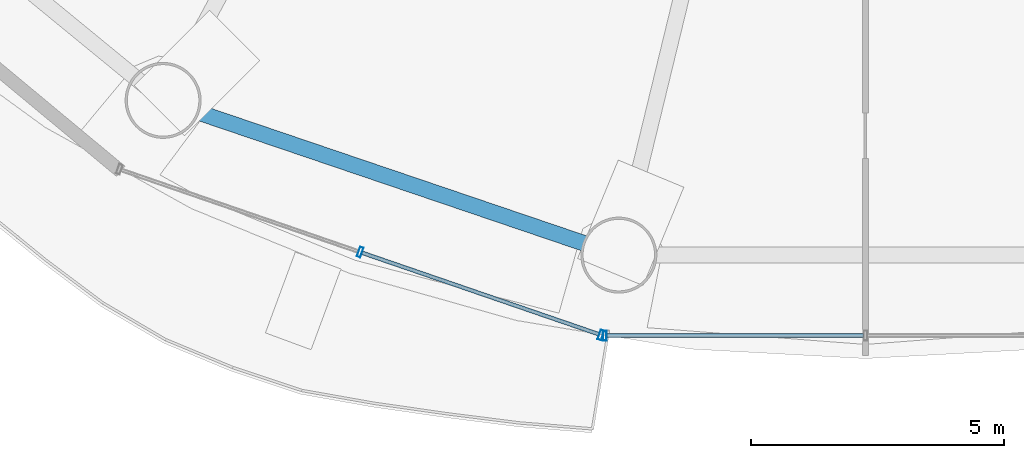
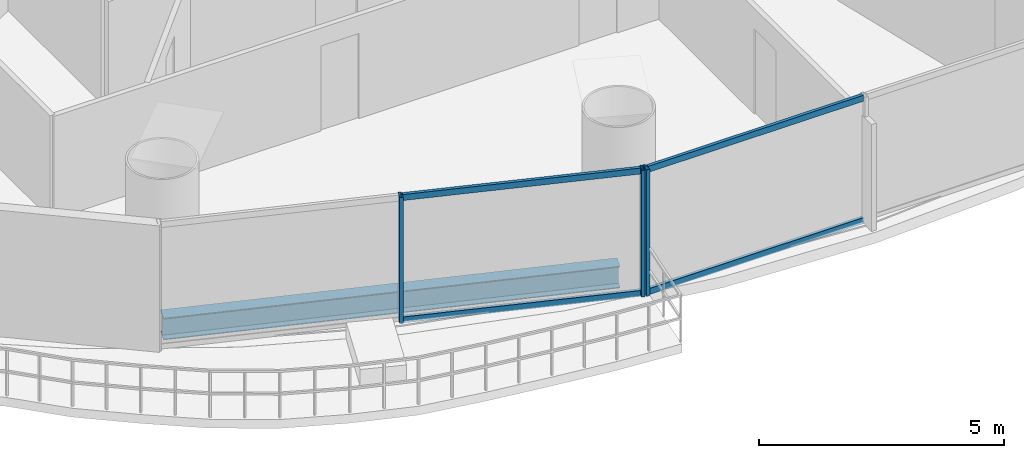
# One storey, part 4 of 29: 7 members, 1 beam, 2 elements without a shape of their own.
"""IFC4 building model written with IfcOpenShell, lengths in metres."""

from ifc_helpers import new_model, si_unit, direction, frame, origin, origin_2d, place, context, subcontext, project, spatial, hollow_rectangle, i_section, extrude, source, transform, mapped, material, material_profile, profile_set, type_object, element, aggregate, save


model = new_model("IFC4")

# Units and contexts
model_context = context("Model", 3, precision=1e-05, world=origin(), true_north=direction((-0.2419218956, 0.970295726276)))
body_context = subcontext(model_context, "Body", "Model", "MODEL_VIEW")
ifc_project = project(units=[si_unit("LENGTHUNIT", "METRE"), si_unit("AREAUNIT", "SQUARE_METRE"), si_unit("VOLUMEUNIT", "CUBIC_METRE"), si_unit("PLANEANGLEUNIT", "RADIAN"), si_unit("MASSUNIT", "GRAM", prefix="KILO")], contexts=[model_context])

# Site, building, storey
site_placement = place(None, origin())
site = spatial("IfcSite", under=ifc_project, at=site_placement, CompositionType="ELEMENT")
building_placement = place(site_placement, origin())
building = spatial("IfcBuilding", under=site, at=building_placement, Name="Cobrevalo Terracotta Tower", CompositionType="ELEMENT")
storey_placement = place(building_placement, frame((0.0, 0.0, 126.60009765625)))
storey = spatial("IfcBuildingStorey", under=building, at=storey_placement, Name="L33", CompositionType="ELEMENT", Elevation=126.60009765625)

# Beam
ifc_material_1 = material(Name="Steel S355", Category="steel")
ifc_material_profile_1 = material_profile(ifc_material_1, i_section(OverallWidth=0.31201171875, OverallDepth=0.54296875, WebThickness=0.0126953125, FlangeThickness=0.020263671875, at=origin_2d()), Name="W 530x150")
ifc_profile_set_1 = profile_set([ifc_material_profile_1], Name="Steel S355")
beam_type = type_object("IfcBeamType", Name="Structural Spandrel W 530x150 (Steel S355)", PredefinedType="SPANDREL", material=ifc_profile_set_1)
beam_placement = place(storey_placement, frame((24.138427734375, 9.79638671875, -0.546630859375), z_axis=(0.94691835344, -0.321474154356, 0.0), x_axis=(0.321474154356, 0.94691835344, 0.0)))
element("IfcBeam", 1, at=beam_placement, inside=storey, type_object=beam_type, Name="L33 perimeter ring spandrel 11", PredefinedType="SPANDREL", context=body_context, shape_type="SweptSolid", body=[
    extrude(i_section(OverallWidth=0.31201171875, OverallDepth=0.54296875, WebThickness=0.0126953125, FlangeThickness=0.020263671875, at=origin_2d()), origin(), (0.0, 0.0, 1.0), 9.498291015625),
])

# Curtain wall, members
ifc_material_2 = material(Name="Anodized aluminium", Category="aluminium")
curtain_wall_type = type_object("IfcCurtainWallType", Name="Lower-tower unitised acoustic low-E curtain wall CW-U1", PredefinedType="NOTDEFINED", material=ifc_material_2)
curtain_wall_1_placement = place(storey_placement, origin())
curtain_wall_1 = element("IfcCurtainWall", 2, at=curtain_wall_1_placement, inside=storey, type_object=curtain_wall_type, Name="L33 curtain wall CW-L33-S11", PredefinedType="NOTDEFINED")
ifc_material_profile_2 = material_profile(ifc_material_2, hollow_rectangle(XDim=0.074951171875, YDim=0.199951171875, WallThickness=0.0048828125, at=origin_2d()), Name="CWM 75x200")
ifc_profile_set_2 = profile_set([ifc_material_profile_2], Name="Anodized aluminium")
member_type_1 = type_object("IfcMemberType", Name="Lower/mid tower unitised mullion 75x200", PredefinedType="MULLION", material=ifc_profile_set_2)
shared_shape_1 = source(origin(), body_context, "Body", "SweptSolid", [
    extrude(hollow_rectangle(XDim=0.074951171875, YDim=0.199951171875, WallThickness=0.0048828125, at=origin_2d()), origin(), (0.0, 0.0, 1.0), 3.14990234375),
])
member_1_placement = place(storey_placement, frame((28.027587890625, 6.8017578125, 0.0), z_axis=(0.0, 0.0, 1.0), x_axis=(0.94559809868, -0.325337110968, 0.0)))
member_1 = element("IfcMember", 3, at=member_1_placement, type_object=member_type_1, Name="CW-L33-S11 vertical mullion 02", PredefinedType="MULLION", context=body_context, shape_type="MappedRepresentation", body=[
    mapped(shared_shape_1, transform((0.0, 0.0, 0.0), scale=1.0)),
])
member_2_placement = place(storey_placement, frame((32.778564453125, 5.1669921875, 0.0), z_axis=(0.0, 0.0, 1.0), x_axis=(0.94559809868, -0.325337110968, 0.0)))
member_2 = element("IfcMember", 4, at=member_2_placement, type_object=member_type_1, Name="CW-L33-S11 vertical mullion 03", PredefinedType="MULLION", context=body_context, shape_type="MappedRepresentation", body=[
    mapped(shared_shape_1, transform((0.0, 0.0, 0.0), scale=1.0)),
])

# Curtain wall, member
curtain_wall_2_placement = place(storey_placement, origin())
curtain_wall_2 = element("IfcCurtainWall", 5, at=curtain_wall_2_placement, inside=storey, type_object=curtain_wall_type, Name="L33 curtain wall CW-L33-S12", PredefinedType="NOTDEFINED")
member_3_placement = place(storey_placement, frame((32.8564453125, 5.154052734375, 0.0), z_axis=(0.0, 0.0, 1.0), x_axis=(1.0, 0.0, 0.0)))
member_3 = element("IfcMember", 6, at=member_3_placement, type_object=member_type_1, Name="CW-L33-S12 vertical mullion 01", PredefinedType="MULLION", context=body_context, shape_type="MappedRepresentation", body=[
    mapped(shared_shape_1, transform((0.0, 0.0, 0.0), scale=1.0)),
])

# Member
ifc_material_profile_3 = material_profile(ifc_material_2, hollow_rectangle(XDim=0.074951171875, YDim=0.14990234375, WallThickness=0.00439453125, at=origin_2d()), Name="CWT 75x150")
ifc_profile_set_3 = profile_set([ifc_material_profile_3], Name="Anodized aluminium")
member_type_2 = type_object("IfcMemberType", Name="Tower unitised aluminium transom 75x150", PredefinedType="USERDEFINED", material=ifc_profile_set_3)
shared_shape_2 = source(origin(), body_context, "Body", "SweptSolid", [
    extrude(hollow_rectangle(XDim=0.074951171875, YDim=0.14990234375, WallThickness=0.00439453125, at=origin_2d()), origin(), (0.0, 0.0, 1.0), 4.944580078125),
])
member_4_placement = place(storey_placement, frame((28.065185546875, 6.788818359375, 0.0498046875), z_axis=(0.945597859971, -0.32533780478, 0.0), x_axis=(0.32533780478, 0.945597859971, 0.0)))
member_4 = element("IfcMember", 7, at=member_4_placement, type_object=member_type_2, Name="CW-L33-S11 transom B02-T1", ObjectType="TRANSOM", PredefinedType="USERDEFINED", context=body_context, shape_type="MappedRepresentation", body=[
    mapped(shared_shape_2, transform((0.0, 0.0, 0.0), scale=1.0)),
])

member_5_placement = place(storey_placement, frame((28.065185546875, 6.788818359375, 3.099853515625), z_axis=(0.945597859971, -0.32533780478, 0.0), x_axis=(0.32533780478, 0.945597859971, 0.0)))
member_5 = element("IfcMember", 8, at=member_5_placement, type_object=member_type_2, Name="CW-L33-S11 transom B02-T2", ObjectType="TRANSOM", PredefinedType="USERDEFINED", context=body_context, shape_type="MappedRepresentation", body=[
    mapped(shared_shape_2, transform((0.0, 0.0, 0.0), scale=1.0)),
])

aggregate(curtain_wall_1, [member_1, member_2, member_4, member_5])

shared_shape_3 = source(origin(), body_context, "Body", "SweptSolid", [
    extrude(hollow_rectangle(XDim=0.074951171875, YDim=0.14990234375, WallThickness=0.00439453125, at=origin_2d()), origin(), (0.0, 0.0, 1.0), 5.0634765625),
])
member_6_placement = place(storey_placement, frame((32.896484375, 5.154052734375, 0.0498046875), z_axis=(1.0, 0.0, 0.0), x_axis=(0.0, 1.0, 0.0)))
member_6 = element("IfcMember", 9, at=member_6_placement, type_object=member_type_2, Name="CW-L33-S12 transom B01-T1", ObjectType="TRANSOM", PredefinedType="USERDEFINED", context=body_context, shape_type="MappedRepresentation", body=[
    mapped(shared_shape_3, transform((0.0, 0.0, 0.0), scale=1.0)),
])

member_7_placement = place(storey_placement, frame((32.896484375, 5.154052734375, 3.099853515625), z_axis=(1.0, 0.0, 0.0), x_axis=(0.0, 1.0, 0.0)))
member_7 = element("IfcMember", 10, at=member_7_placement, type_object=member_type_2, Name="CW-L33-S12 transom B01-T2", ObjectType="TRANSOM", PredefinedType="USERDEFINED", context=body_context, shape_type="MappedRepresentation", body=[
    mapped(shared_shape_3, transform((0.0, 0.0, 0.0), scale=1.0)),
])

aggregate(curtain_wall_2, [member_3, member_6, member_7])

save(model, "model.ifc")
